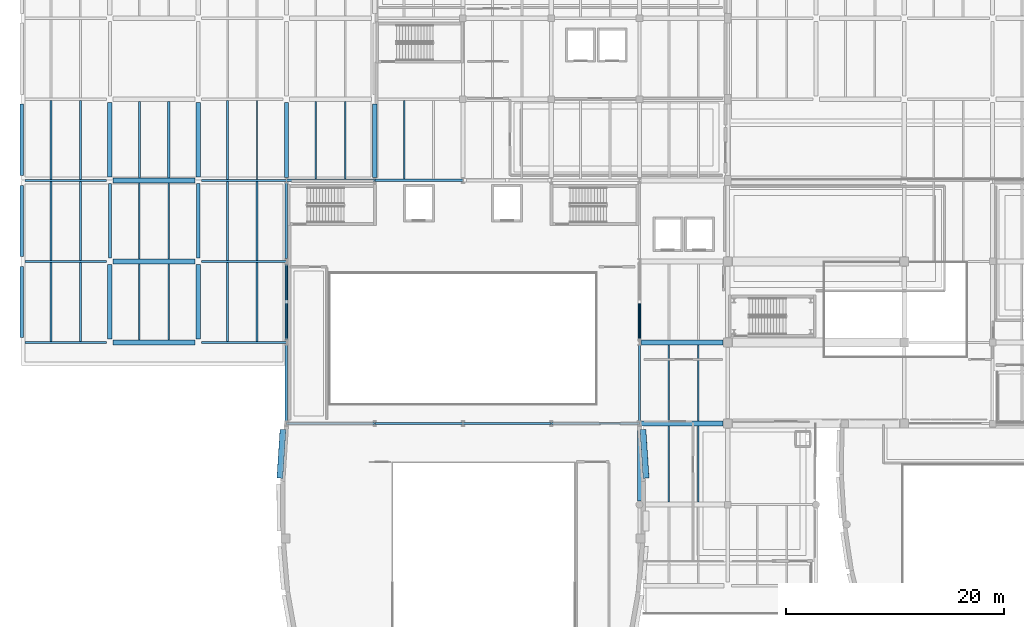
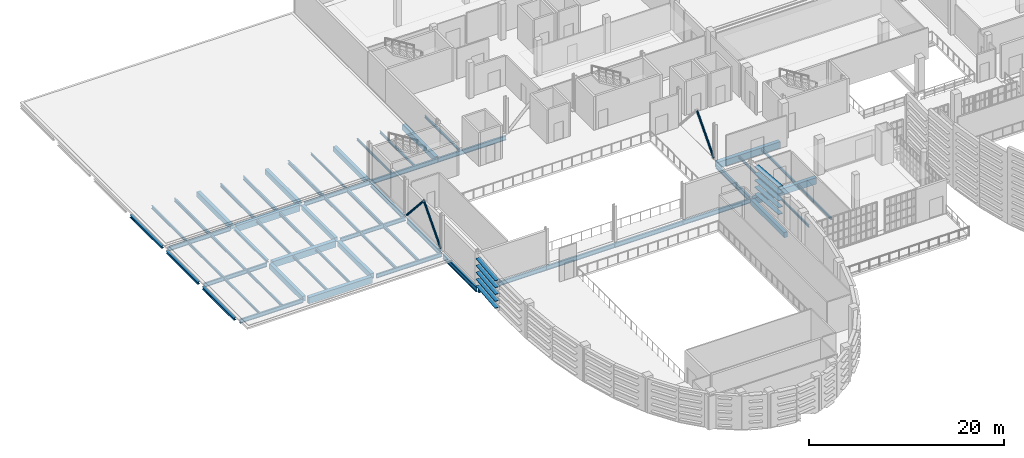
# One storey, part 8 of 73: 58 beams, 13 members.
"""IFC4 building model written with IfcOpenShell, lengths in metres."""

from ifc_helpers import new_model, si_unit, direction, frame, origin, origin_2d, place, context, subcontext, project, spatial, rectangle, hollow_rectangle, hollow_circle, i_section, extrude, material, material_profile, profile_set, type_object, element, save


model = new_model("IFC4")

# Units and contexts
model_context = context("Model", 3, precision=1e-05, world=origin(), true_north=direction((0.0, 1.0)))
body_context = subcontext(model_context, "Body", "Model", "MODEL_VIEW")
ifc_project = project(units=[si_unit("LENGTHUNIT", "METRE"), si_unit("AREAUNIT", "SQUARE_METRE"), si_unit("VOLUMEUNIT", "CUBIC_METRE"), si_unit("PLANEANGLEUNIT", "RADIAN"), si_unit("MASSUNIT", "GRAM", prefix="KILO")], contexts=[model_context])

# Site, building, storey
site_placement = place(None, origin())
site = spatial("IfcSite", under=ifc_project, at=site_placement, CompositionType="ELEMENT")
building_placement = place(site_placement, origin())
building = spatial("IfcBuilding", under=site, at=building_placement, Name="Kaelora Sail Theatre", CompositionType="ELEMENT")
storey_placement = place(building_placement, frame((0.0, 0.0, 10.199951171875)))
storey = spatial("IfcBuildingStorey", under=building, at=storey_placement, Name="L02", CompositionType="ELEMENT", Elevation=10.199951171875)

# Members
ifc_material_1 = material(Name="Anodised aluminium 6063-T6", Category="aluminium")
ifc_material_profile_1 = material_profile(ifc_material_1, hollow_rectangle(XDim=0.550048828125, YDim=0.06494140625, WallThickness=0.00390625, InnerFilletRadius=0.00390625, OuterFilletRadius=0.008056640625, at=origin_2d()), Name="LOUVRE 550x65x4")
ifc_profile_set_1 = profile_set([ifc_material_profile_1], Name="Anodised aluminium 6063-T6")
member_type_1 = type_object("IfcMemberType", Name="ARC-MEM-LVR-300", PredefinedType="USERDEFINED", material=ifc_profile_set_1)
for number, where, z_axis, x_axis, name in (
    (1, (58.51611328125, 60.47021484375, 0.510009765625), (0.064492796424, -0.997918172602, 0.0), (0.997918172602, 0.064492796424, 0.0), "Main Theatre Sail Drum horizontal solar louvre C1-12"),
    (2, (58.51611328125, 60.47021484375, 1.3701171875), (0.064492796424, -0.997918172602, 0.0), (0.997918172602, 0.064492796424, 0.0), "Main Theatre Sail Drum horizontal solar louvre C1-13"),
    (3, (58.51611328125, 60.47021484375, 2.22998046875), (0.064492796424, -0.997918172602, 0.0), (0.997918172602, 0.064492796424, 0.0), "Main Theatre Sail Drum horizontal solar louvre C1-14"),
    (4, (58.51611328125, 60.47021484375, 3.090087890625), (0.064492796424, -0.997918172602, 0.0), (0.997918172602, 0.064492796424, 0.0), "Main Theatre Sail Drum horizontal solar louvre C1-15"),
    (5, (58.51611328125, 60.47021484375, 3.949951171875), (0.064492796424, -0.997918172602, 0.0), (0.997918172602, 0.064492796424, 0.0), "Main Theatre Sail Drum horizontal solar louvre C1-16"),
    (6, (25.195556640625, 56.0087890625, 0.510009765625), (0.064492796424, 0.997918172602, 0.0), (-0.997918172602, 0.064492796424, 0.0), "Main Theatre Sail Drum horizontal solar louvre C22-12"),
    (7, (25.195556640625, 56.0087890625, 1.3701171875), (0.064492796424, 0.997918172602, 0.0), (-0.997918172602, 0.064492796424, 0.0), "Main Theatre Sail Drum horizontal solar louvre C22-13"),
    (8, (25.195556640625, 56.0087890625, 2.22998046875), (0.064492796424, 0.997918172602, 0.0), (-0.997918172602, 0.064492796424, 0.0), "Main Theatre Sail Drum horizontal solar louvre C22-14"),
    (9, (25.195556640625, 56.0087890625, 3.090087890625), (0.064492796424, 0.997918172602, 0.0), (-0.997918172602, 0.064492796424, 0.0), "Main Theatre Sail Drum horizontal solar louvre C22-15"),
    (10, (25.195556640625, 56.0087890625, 3.949951171875), (0.064492796424, 0.997918172602, 0.0), (-0.997918172602, 0.064492796424, 0.0), "Main Theatre Sail Drum horizontal solar louvre C22-16"),
):
    element("IfcMember", number, at=place(storey_placement, frame(where, z_axis=z_axis, x_axis=x_axis)), inside=storey, type_object=member_type_1, Name=name, ObjectType="LOUVRE", PredefinedType="USERDEFINED", context=body_context, shape_type="SweptSolid", body=[
        extrude(hollow_rectangle(XDim=0.550048828125, YDim=0.06494140625, WallThickness=0.00390625, InnerFilletRadius=0.00390625, OuterFilletRadius=0.008056640625, at=origin_2d()), origin(), (0.0, 0.0, 1.0), 4.470703125),
    ])

# Beams
ifc_material_2 = material(Name="Steel S355", Category="steel")
ifc_material_profile_2 = material_profile(ifc_material_2, i_section(OverallWidth=0.300048828125, OverallDepth=0.31005859375, WebThickness=0.009033203125, FlangeThickness=0.015380859375, FilletRadius=0.027099609375, at=origin_2d()), Name="HEA 320")
ifc_profile_set_2 = profile_set([ifc_material_profile_2], Name="Steel S355")
beam_type_1 = type_object("IfcBeamType", Name="STR-BM-BM-HEA320", PredefinedType="BEAM", material=ifc_profile_set_2)
beam_1_placement = place(storey_placement, frame((9.60009765625, 76.199951171875, -0.449951171875), z_axis=(0.0, 1.0, 0.0), x_axis=(-1.0, 0.0, 0.0)))
element("IfcBeam", 11, at=beam_1_placement, inside=storey, type_object=beam_type_1, Name="Primary beam 2 K-L (L02)", PredefinedType="BEAM", context=body_context, shape_type="SweptSolid", body=[
    extrude(i_section(OverallWidth=0.300048828125, OverallDepth=0.31005859375, WebThickness=0.009033203125, FlangeThickness=0.015380859375, FilletRadius=0.027099609375, at=origin_2d()), origin(), (0.0, 0.0, 1.0), 6.840087890625),
])
ifc_material_3 = material(Name="Steel S355", Category="steel")
ifc_material_profile_3 = material_profile(ifc_material_3, i_section(OverallWidth=0.18994140625, OverallDepth=0.449951171875, WebThickness=0.009521484375, FlangeThickness=0.0146484375, FilletRadius=0.02099609375, at=origin_2d()), Name="IPE 450")
ifc_profile_set_3 = profile_set([ifc_material_profile_3], Name="Steel S355")
beam_type_2 = type_object("IfcBeamType", Name="STR-BM-BM-IPE450", PredefinedType="BEAM", material=ifc_profile_set_3)
beam_2_placement = place(storey_placement, frame((15.0, 83.56494140625, -0.52001953125), z_axis=(0.0, 1.0, 0.0), x_axis=(-1.0, 0.0, 0.0)))
element("IfcBeam", 12, at=beam_2_placement, inside=storey, type_object=beam_type_2, Name="Secondary floor joist 2/L-2 (L02)", PredefinedType="BEAM", context=body_context, shape_type="SweptSolid", body=[
    extrude(i_section(OverallWidth=0.18994140625, OverallDepth=0.449951171875, WebThickness=0.009521484375, FlangeThickness=0.0146484375, FilletRadius=0.02099609375, at=origin_2d()), origin(), (0.0, 0.0, 1.0), 6.989990234375),
])
for number, where, z_axis, x_axis, name in (
    (13, (23.10009765625, 76.0, -0.52001953125), (0.0, 1.0, 0.0), (-1.0, 0.0, 0.0), "Secondary floor joist 3/K-2 (L02)"),
    (14, (20.39990234375, 83.43994140625, -0.52001953125), (0.0, 1.0, 0.0), (-1.0, 0.0, 0.0), "Secondary floor joist 3/L-1 (L02)"),
):
    element("IfcBeam", number, at=place(storey_placement, frame(where, z_axis=z_axis, x_axis=x_axis)), inside=storey, type_object=beam_type_2, Name=name, PredefinedType="BEAM", context=body_context, shape_type="SweptSolid", body=[
        extrude(i_section(OverallWidth=0.18994140625, OverallDepth=0.449951171875, WebThickness=0.009521484375, FlangeThickness=0.0146484375, FilletRadius=0.02099609375, at=origin_2d()), origin(), (0.0, 0.0, 1.0), 7.239990234375),
    ])
ifc_material_4 = material(Name="Steel S355", Category="steel")
ifc_material_profile_4 = material_profile(ifc_material_4, i_section(OverallWidth=0.199951171875, OverallDepth=0.5, WebThickness=0.01025390625, FlangeThickness=0.01611328125, FilletRadius=0.02099609375, at=origin_2d()), Name="IPE 500")
ifc_profile_set_4 = profile_set([ifc_material_profile_4], Name="Steel S355")
beam_type_3 = type_object("IfcBeamType", Name="STR-BM-BM-IPE500", PredefinedType="BEAM", material=ifc_profile_set_4)
for number, where, z_axis, x_axis, name in (
    (15, (1.800048828125, 68.4599609375, -0.544921875), (1.0, 0.0, 0.0), (0.0, 1.0, 0.0), "Primary beam J 1-2 (L02)"),
    (16, (1.800048828125, 75.89990234375, -0.544921875), (1.0, 0.0, 0.0), (0.0, 1.0, 0.0), "Primary beam K 1-2 (L02)"),
    (17, (1.800048828125, 83.340087890625, -0.544921875), (1.0, 0.0, 0.0), (0.0, 1.0, 0.0), "Primary beam L 1-2 (L02)"),
):
    element("IfcBeam", number, at=place(storey_placement, frame(where, z_axis=z_axis, x_axis=x_axis)), inside=storey, type_object=beam_type_3, Name=name, PredefinedType="BEAM", context=body_context, shape_type="SweptSolid", body=[
        extrude(i_section(OverallWidth=0.199951171875, OverallDepth=0.5, WebThickness=0.01025390625, FlangeThickness=0.01611328125, FilletRadius=0.02099609375, at=origin_2d()), origin(), (0.0, 0.0, 1.0), 7.5),
    ])
for number, where, z_axis, x_axis, name in (
    (18, (18.0, 68.4599609375, -0.544921875), (1.0, 0.0, 0.0), (0.0, 1.0, 0.0), "Primary beam J 3-4 (L02)"),
    (19, (18.0, 75.89990234375, -0.544921875), (1.0, 0.0, 0.0), (0.0, 1.0, 0.0), "Primary beam K 3-4 (L02)"),
    (20, (18.0, 83.340087890625, -0.544921875), (1.0, 0.0, 0.0), (0.0, 1.0, 0.0), "Primary beam L 3-4 (L02)"),
):
    element("IfcBeam", number, at=place(storey_placement, frame(where, z_axis=z_axis, x_axis=x_axis)), inside=storey, type_object=beam_type_3, Name=name, PredefinedType="BEAM", context=body_context, shape_type="SweptSolid", body=[
        extrude(i_section(OverallWidth=0.199951171875, OverallDepth=0.5, WebThickness=0.01025390625, FlangeThickness=0.01611328125, FilletRadius=0.02099609375, at=origin_2d()), origin(), (0.0, 0.0, 1.0), 7.791015625),
    ])
ifc_material_5 = material(Name="Steel S355", Category="steel")
ifc_material_profile_5 = material_profile(ifc_material_5, i_section(OverallWidth=0.2099609375, OverallDepth=0.550048828125, WebThickness=0.010986328125, FlangeThickness=0.01708984375, FilletRadius=0.02392578125, at=origin_2d()), Name="IPE 550")
ifc_profile_set_5 = profile_set([ifc_material_profile_5], Name="Steel S355")
beam_type_4 = type_object("IfcBeamType", Name="STR-BM-BM-IPE550", PredefinedType="USERDEFINED", material=ifc_profile_set_5)
for number, where, z_axis, x_axis, name in (
    (21, (25.80908203125, 61.02001953125, -0.570068359375), (1.0, 0.0, 0.0), (0.0, 1.0, 0.0), "Primary beam I 4-5 (L02)"),
    (22, (25.80908203125, 83.340087890625, -0.570068359375), (1.0, 0.0, 0.0), (0.0, 1.0, 0.0), "Primary beam L 4-5 (L02)"),
    (23, (33.908935546875, 61.02001953125, -0.570068359375), (1.0, 0.0, 0.0), (0.0, 1.0, 0.0), "Primary beam I 5-6 (L02)"),
    (24, (33.908935546875, 83.340087890625, -0.570068359375), (1.0, 0.0, 0.0), (0.0, 1.0, 0.0), "Primary beam L 5-6 (L02)"),
    (25, (42.009033203125, 61.02001953125, -0.570068359375), (1.0, 0.0, 0.0), (0.0, 1.0, 0.0), "Primary beam I 6-7 (L02)"),
    (26, (50.10888671875, 61.02001953125, -0.570068359375), (1.0, 0.0, 0.0), (0.0, 1.0, 0.0), "Primary beam I 7-8 (L02)"),
):
    element("IfcBeam", number, at=place(storey_placement, frame(where, z_axis=z_axis, x_axis=x_axis)), inside=storey, type_object=beam_type_4, Name=name, ObjectType="GIRDER", PredefinedType="USERDEFINED", context=body_context, shape_type="SweptSolid", body=[
        extrude(i_section(OverallWidth=0.2099609375, OverallDepth=0.550048828125, WebThickness=0.010986328125, FlangeThickness=0.01708984375, FilletRadius=0.02392578125, at=origin_2d()), origin(), (0.0, 0.0, 1.0), 8.08203125),
    ])
ifc_material_6 = material(Name="Steel S355", Category="steel")
ifc_material_profile_6 = material_profile(ifc_material_6, i_section(OverallWidth=0.219970703125, OverallDepth=0.60009765625, WebThickness=0.011962890625, FlangeThickness=0.01904296875, FilletRadius=0.02392578125, at=origin_2d()), Name="IPE 600")
ifc_profile_set_6 = profile_set([ifc_material_profile_6], Name="Steel S355")
beam_type_5 = type_object("IfcBeamType", Name="STR-BM-BM-IPE600", PredefinedType="USERDEFINED", material=ifc_profile_set_6)
for number, where, z_axis, x_axis, name in (
    (27, (25.800048828125, 61.27001953125, -0.594970703125), (0.0, 1.0, 0.0), (-1.0, 0.0, 0.0), "Primary beam 4 I-J (L02)"),
    (28, (25.800048828125, 68.7099609375, -0.594970703125), (0.0, 1.0, 0.0), (-1.0, 0.0, 0.0), "Primary beam 4 J-K (L02)"),
):
    element("IfcBeam", number, at=place(storey_placement, frame(where, z_axis=z_axis, x_axis=x_axis)), inside=storey, type_object=beam_type_5, Name=name, ObjectType="GIRDER", PredefinedType="USERDEFINED", context=body_context, shape_type="SweptSolid", body=[
        extrude(i_section(OverallWidth=0.219970703125, OverallDepth=0.60009765625, WebThickness=0.011962890625, FlangeThickness=0.01904296875, FilletRadius=0.02392578125, at=origin_2d()), origin(), (0.0, 0.0, 1.0), 6.93994140625),
    ])
beam_3_placement = place(storey_placement, frame((25.800048828125, 76.14990234375, -0.594970703125), z_axis=(0.0, 1.0, 0.0), x_axis=(-1.0, 0.0, 0.0)))
element("IfcBeam", 29, at=beam_3_placement, inside=storey, type_object=beam_type_5, Name="Primary beam 4 K-L (L02)", ObjectType="GIRDER", PredefinedType="USERDEFINED", context=body_context, shape_type="SweptSolid", body=[
    extrude(i_section(OverallWidth=0.219970703125, OverallDepth=0.60009765625, WebThickness=0.011962890625, FlangeThickness=0.01904296875, FilletRadius=0.02392578125, at=origin_2d()), origin(), (0.0, 0.0, 1.0), 6.940185546875),
])
beam_4_placement = place(storey_placement, frame((58.199951171875, 61.27001953125, -0.594970703125), z_axis=(0.0, 1.0, 0.0), x_axis=(-1.0, 0.0, 0.0)))
element("IfcBeam", 30, at=beam_4_placement, inside=storey, type_object=beam_type_5, Name="Primary beam 8 I-J (L02)", ObjectType="GIRDER", PredefinedType="USERDEFINED", context=body_context, shape_type="SweptSolid", body=[
    extrude(i_section(OverallWidth=0.219970703125, OverallDepth=0.60009765625, WebThickness=0.011962890625, FlangeThickness=0.01904296875, FilletRadius=0.02392578125, at=origin_2d()), origin(), (0.0, 0.0, 1.0), 6.93994140625),
])
ifc_material_7 = material(Name="Concrete C40/50", Category="concrete")
ifc_material_profile_7 = material_profile(ifc_material_7, rectangle(XDim=0.35009765625, YDim=0.60009765625, at=origin_2d()), Name="RC-BM 350x600")
ifc_profile_set_7 = profile_set([ifc_material_profile_7], Name="Concrete C40/50")
beam_type_6 = type_object("IfcBeamType", Name="STR-BM-BM-RC3560", PredefinedType="BEAM", material=ifc_profile_set_7)
beam_5_placement = place(storey_placement, frame((17.699951171875, 76.199951171875, -0.594970703125), z_axis=(0.0, 1.0, 0.0), x_axis=(-1.0, 0.0, 0.0)))
element("IfcBeam", 31, at=beam_5_placement, inside=storey, type_object=beam_type_6, Name="Primary beam 3 K-L (L02)", PredefinedType="BEAM", context=body_context, shape_type="SweptSolid", body=[
    extrude(rectangle(XDim=0.35009765625, YDim=0.60009765625, at=origin_2d()), origin(), (0.0, 0.0, 1.0), 6.840087890625),
])
ifc_material_8 = material(Name="Concrete C40/50", Category="concrete")
ifc_material_profile_8 = material_profile(ifc_material_8, rectangle(XDim=0.39990234375, YDim=0.64990234375, at=origin_2d()), Name="RC-BM 400x650")
ifc_profile_set_8 = profile_set([ifc_material_profile_8], Name="Concrete C40/50")
beam_type_7 = type_object("IfcBeamType", Name="STR-BM-BM-RC4065", PredefinedType="BEAM", material=ifc_profile_set_8)
for number, where, z_axis, x_axis, name in (
    (32, (9.60009765625, 68.760009765625, -0.619873046875), (0.0, 1.0, 0.0), (-1.0, 0.0, 0.0), "Primary beam 2 J-K (L02)"),
    (33, (9.60009765625, 83.639892578125, -0.619873046875), (0.0, 1.0, 0.0), (-1.0, 0.0, 0.0), "Primary beam 2 L-M (L02)"),
    (34, (17.699951171875, 68.760009765625, -0.619873046875), (0.0, 1.0, 0.0), (-1.0, 0.0, 0.0), "Primary beam 3 J-K (L02)"),
    (35, (17.699951171875, 83.639892578125, -0.619873046875), (0.0, 1.0, 0.0), (-1.0, 0.0, 0.0), "Primary beam 3 L-M (L02)"),
):
    element("IfcBeam", number, at=place(storey_placement, frame(where, z_axis=z_axis, x_axis=x_axis)), inside=storey, type_object=beam_type_7, Name=name, PredefinedType="BEAM", context=body_context, shape_type="SweptSolid", body=[
        extrude(rectangle(XDim=0.39990234375, YDim=0.64990234375, at=origin_2d()), origin(), (0.0, 0.0, 1.0), 6.840087890625),
    ])
beam_6_placement = place(storey_placement, frame((25.800048828125, 83.590087890625, -0.619873046875), z_axis=(0.0, 1.0, 0.0), x_axis=(-1.0, 0.0, 0.0)))
element("IfcBeam", 36, at=beam_6_placement, inside=storey, type_object=beam_type_7, Name="Primary beam 4 L-M (L02)", PredefinedType="BEAM", context=body_context, shape_type="SweptSolid", body=[
    extrude(rectangle(XDim=0.39990234375, YDim=0.64990234375, at=origin_2d()), origin(), (0.0, 0.0, 1.0), 6.889892578125),
])
beam_7_placement = place(storey_placement, frame((33.89990234375, 83.590087890625, -0.619873046875), z_axis=(0.0, 1.0, 0.0), x_axis=(-1.0, 0.0, 0.0)))
element("IfcBeam", 37, at=beam_7_placement, inside=storey, type_object=beam_type_7, Name="Primary beam 5 L-M (L02)", PredefinedType="BEAM", context=body_context, shape_type="SweptSolid", body=[
    extrude(rectangle(XDim=0.39990234375, YDim=0.64990234375, at=origin_2d()), origin(), (0.0, 0.0, 1.0), 6.739990234375),
])
beam_8_placement = place(storey_placement, frame((58.199951171875, 53.905029296875, -0.619873046875), z_axis=(0.0, 1.0, 0.0), x_axis=(-1.0, 0.0, 0.0)))
element("IfcBeam", 38, at=beam_8_placement, inside=storey, type_object=beam_type_7, Name="Primary beam 8 H-I (L02)", PredefinedType="BEAM", context=body_context, shape_type="SweptSolid", body=[
    extrude(rectangle(XDim=0.39990234375, YDim=0.64990234375, at=origin_2d()), origin(), (0.0, 0.0, 1.0), 6.864990234375),
])
ifc_material_9 = material(Name="Concrete C45/55", Category="concrete")
ifc_material_profile_9 = material_profile(ifc_material_9, rectangle(XDim=0.449951171875, YDim=0.800048828125, at=origin_2d()), Name="RC-BM 450x800")
ifc_profile_set_9 = profile_set([ifc_material_profile_9], Name="Concrete C45/55")
beam_type_8 = type_object("IfcBeamType", Name="STR-BM-BM-RC4580", PredefinedType="BEAM", material=ifc_profile_set_9)
for number, where, z_axis, x_axis, name in (
    (39, (9.89990234375, 68.4599609375, -0.695068359375), (1.0, 0.0, 0.0), (0.0, 1.0, 0.0), "Primary beam J 2-3 (L02)"),
    (40, (9.89990234375, 75.89990234375, -0.695068359375), (1.0, 0.0, 0.0), (0.0, 1.0, 0.0), "Primary beam K 2-3 (L02)"),
    (41, (9.89990234375, 83.340087890625, -0.695068359375), (1.0, 0.0, 0.0), (0.0, 1.0, 0.0), "Primary beam L 2-3 (L02)"),
    (42, (58.35009765625, 61.02001953125, -0.695068359375), (1.0, 0.0, 0.0), (0.0, 1.0, 0.0), "Primary beam I 8-9 (L02)"),
    (43, (58.35009765625, 68.4599609375, -0.695068359375), (1.0, 0.0, 0.0), (0.0, 1.0, 0.0), "Primary beam J 8-9 (L02)"),
):
    element("IfcBeam", number, at=place(storey_placement, frame(where, z_axis=z_axis, x_axis=x_axis)), inside=storey, type_object=beam_type_8, Name=name, PredefinedType="BEAM", context=body_context, shape_type="SweptSolid", body=[
        extrude(rectangle(XDim=0.449951171875, YDim=0.800048828125, at=origin_2d()), origin(), (0.0, 0.0, 1.0), 7.5),
    ])
ifc_material_10 = material(Name="Steel S355", Category="steel")
ifc_material_profile_10 = material_profile(ifc_material_10, i_section(OverallWidth=0.135009765625, OverallDepth=0.27001953125, WebThickness=0.006591796875, FlangeThickness=0.01025390625, FilletRadius=0.014892578125, at=origin_2d()), Name="IPE 270")
ifc_profile_set_10 = profile_set([ifc_material_profile_10], Name="Steel S355")
beam_type_9 = type_object("IfcBeamType", Name="STR-BM-JS-IPE270", PredefinedType="JOIST", material=ifc_profile_set_10)
beam_9_placement = place(storey_placement, frame((23.10009765625, 83.43994140625, -0.429931640625), z_axis=(0.0, 1.0, 0.0), x_axis=(-1.0, 0.0, 0.0)))
element("IfcBeam", 44, at=beam_9_placement, inside=storey, type_object=beam_type_9, Name="Secondary floor joist 3/L-2 (L02)", PredefinedType="JOIST", context=body_context, shape_type="SweptSolid", body=[
    extrude(i_section(OverallWidth=0.135009765625, OverallDepth=0.27001953125, WebThickness=0.006591796875, FlangeThickness=0.01025390625, FilletRadius=0.014892578125, at=origin_2d()), origin(), (0.0, 0.0, 1.0), 7.239990234375),
])
beam_10_placement = place(storey_placement, frame((28.5, 83.445068359375, -0.429931640625), z_axis=(0.0, 1.0, 0.0), x_axis=(-1.0, 0.0, 0.0)))
element("IfcBeam", 45, at=beam_10_placement, inside=storey, type_object=beam_type_9, Name="Secondary floor joist 4/L-1 (L02)", PredefinedType="JOIST", context=body_context, shape_type="SweptSolid", body=[
    extrude(i_section(OverallWidth=0.135009765625, OverallDepth=0.27001953125, WebThickness=0.006591796875, FlangeThickness=0.01025390625, FilletRadius=0.014892578125, at=origin_2d()), origin(), (0.0, 0.0, 1.0), 7.10986328125),
])
beam_11_placement = place(storey_placement, frame((60.89990234375, 53.804931640625, -0.429931640625), z_axis=(0.0, 1.0, 0.0), x_axis=(-1.0, 0.0, 0.0)))
element("IfcBeam", 46, at=beam_11_placement, inside=storey, type_object=beam_type_9, Name="Secondary floor joist 8/H-1 (L02)", PredefinedType="JOIST", context=body_context, shape_type="SweptSolid", body=[
    extrude(i_section(OverallWidth=0.135009765625, OverallDepth=0.27001953125, WebThickness=0.006591796875, FlangeThickness=0.01025390625, FilletRadius=0.014892578125, at=origin_2d()), origin(), (0.0, 0.0, 1.0), 6.989990234375),
])
ifc_material_11 = material(Name="Steel S355", Category="steel")
ifc_material_profile_11 = material_profile(ifc_material_11, i_section(OverallWidth=0.14990234375, OverallDepth=0.300048828125, WebThickness=0.007080078125, FlangeThickness=0.0107421875, FilletRadius=0.014892578125, at=origin_2d()), Name="IPE 300")
ifc_profile_set_11 = profile_set([ifc_material_profile_11], Name="Steel S355")
beam_type_10 = type_object("IfcBeamType", Name="STR-BM-JS-IPE300", PredefinedType="JOIST", material=ifc_profile_set_11)
beam_12_placement = place(storey_placement, frame((4.199951171875, 68.56005859375, -0.445068359375), z_axis=(0.0, 1.0, 0.0), x_axis=(-1.0, 0.0, 0.0)))
element("IfcBeam", 47, at=beam_12_placement, inside=storey, type_object=beam_type_10, Name="Secondary floor joist 1/J-1 (L02)", PredefinedType="JOIST", context=body_context, shape_type="SweptSolid", body=[
    extrude(i_section(OverallWidth=0.14990234375, OverallDepth=0.300048828125, WebThickness=0.007080078125, FlangeThickness=0.0107421875, FilletRadius=0.014892578125, at=origin_2d()), origin(), (0.0, 0.0, 1.0), 7.239990234375),
])
beam_13_placement = place(storey_placement, frame((31.199951171875, 83.445068359375, -0.445068359375), z_axis=(0.0, 1.0, 0.0), x_axis=(-1.0, 0.0, 0.0)))
element("IfcBeam", 48, at=beam_13_placement, inside=storey, type_object=beam_type_10, Name="Secondary floor joist 4/L-2 (L02)", PredefinedType="JOIST", context=body_context, shape_type="SweptSolid", body=[
    extrude(i_section(OverallWidth=0.14990234375, OverallDepth=0.300048828125, WebThickness=0.007080078125, FlangeThickness=0.0107421875, FilletRadius=0.014892578125, at=origin_2d()), origin(), (0.0, 0.0, 1.0), 7.10986328125),
])
beam_14_placement = place(storey_placement, frame((36.60009765625, 83.445068359375, -0.445068359375), z_axis=(0.0, 1.0, 0.0), x_axis=(-1.0, 0.0, 0.0)))
element("IfcBeam", 49, at=beam_14_placement, inside=storey, type_object=beam_type_10, Name="Secondary floor joist 5/L-1 (L02)", PredefinedType="JOIST", context=body_context, shape_type="SweptSolid", body=[
    extrude(i_section(OverallWidth=0.14990234375, OverallDepth=0.300048828125, WebThickness=0.007080078125, FlangeThickness=0.0107421875, FilletRadius=0.014892578125, at=origin_2d()), origin(), (0.0, 0.0, 1.0), 7.23486328125),
])
for number, where, z_axis, x_axis, name in (
    (50, (63.60009765625, 53.804931640625, -0.445068359375), (0.0, 1.0, 0.0), (-1.0, 0.0, 0.0), "Secondary floor joist 8/H-2 (L02)"),
    (51, (60.89990234375, 61.2451171875, -0.445068359375), (0.0, 1.0, 0.0), (-1.0, 0.0, 0.0), "Secondary floor joist 8/I-1 (L02)"),
):
    element("IfcBeam", number, at=place(storey_placement, frame(where, z_axis=z_axis, x_axis=x_axis)), inside=storey, type_object=beam_type_10, Name=name, PredefinedType="JOIST", context=body_context, shape_type="SweptSolid", body=[
        extrude(i_section(OverallWidth=0.14990234375, OverallDepth=0.300048828125, WebThickness=0.007080078125, FlangeThickness=0.0107421875, FilletRadius=0.014892578125, at=origin_2d()), origin(), (0.0, 0.0, 1.0), 6.989990234375),
    ])
ifc_material_12 = material(Name="Steel S355", Category="steel")
ifc_material_profile_12 = material_profile(ifc_material_12, i_section(OverallWidth=0.159912109375, OverallDepth=0.330078125, WebThickness=0.007568359375, FlangeThickness=0.011474609375, FilletRadius=0.01806640625, at=origin_2d()), Name="IPE 330")
ifc_profile_set_12 = profile_set([ifc_material_profile_12], Name="Steel S355")
beam_type_11 = type_object("IfcBeamType", Name="STR-BM-JS-IPE330", PredefinedType="JOIST", material=ifc_profile_set_12)
for number, where, z_axis, x_axis, name in (
    (52, (6.89990234375, 68.56005859375, -0.4599609375), (0.0, 1.0, 0.0), (-1.0, 0.0, 0.0), "Secondary floor joist 1/J-2 (L02)"),
    (53, (4.199951171875, 76.0, -0.4599609375), (0.0, 1.0, 0.0), (-1.0, 0.0, 0.0), "Secondary floor joist 1/K-1 (L02)"),
):
    element("IfcBeam", number, at=place(storey_placement, frame(where, z_axis=z_axis, x_axis=x_axis)), inside=storey, type_object=beam_type_11, Name=name, PredefinedType="JOIST", context=body_context, shape_type="SweptSolid", body=[
        extrude(i_section(OverallWidth=0.159912109375, OverallDepth=0.330078125, WebThickness=0.007568359375, FlangeThickness=0.011474609375, FilletRadius=0.01806640625, at=origin_2d()), origin(), (0.0, 0.0, 1.0), 7.239990234375),
    ])
for number, where, z_axis, x_axis, name in (
    (54, (12.300048828125, 68.68505859375, -0.4599609375), (0.0, 1.0, 0.0), (-1.0, 0.0, 0.0), "Secondary floor joist 2/J-1 (L02)"),
    (55, (63.60009765625, 61.2451171875, -0.4599609375), (0.0, 1.0, 0.0), (-1.0, 0.0, 0.0), "Secondary floor joist 8/I-2 (L02)"),
):
    element("IfcBeam", number, at=place(storey_placement, frame(where, z_axis=z_axis, x_axis=x_axis)), inside=storey, type_object=beam_type_11, Name=name, PredefinedType="JOIST", context=body_context, shape_type="SweptSolid", body=[
        extrude(i_section(OverallWidth=0.159912109375, OverallDepth=0.330078125, WebThickness=0.007568359375, FlangeThickness=0.011474609375, FilletRadius=0.01806640625, at=origin_2d()), origin(), (0.0, 0.0, 1.0), 6.989990234375),
    ])
ifc_material_13 = material(Name="Steel S355", Category="steel")
ifc_material_profile_13 = material_profile(ifc_material_13, i_section(OverallWidth=0.169921875, OverallDepth=0.360107421875, WebThickness=0.008056640625, FlangeThickness=0.0126953125, FilletRadius=0.01806640625, at=origin_2d()), Name="IPE 360")
ifc_profile_set_13 = profile_set([ifc_material_profile_13], Name="Steel S355")
beam_type_12 = type_object("IfcBeamType", Name="STR-BM-JS-IPE360", PredefinedType="JOIST", material=ifc_profile_set_13)
for number, where, z_axis, x_axis, name in (
    (56, (6.89990234375, 76.0, -0.474853515625), (0.0, 1.0, 0.0), (-1.0, 0.0, 0.0), "Secondary floor joist 1/K-2 (L02)"),
    (57, (4.199951171875, 83.43994140625, -0.474853515625), (0.0, 1.0, 0.0), (-1.0, 0.0, 0.0), "Secondary floor joist 1/L-1 (L02)"),
):
    element("IfcBeam", number, at=place(storey_placement, frame(where, z_axis=z_axis, x_axis=x_axis)), inside=storey, type_object=beam_type_12, Name=name, PredefinedType="JOIST", context=body_context, shape_type="SweptSolid", body=[
        extrude(i_section(OverallWidth=0.169921875, OverallDepth=0.360107421875, WebThickness=0.008056640625, FlangeThickness=0.0126953125, FilletRadius=0.01806640625, at=origin_2d()), origin(), (0.0, 0.0, 1.0), 7.239990234375),
    ])
for number, where, z_axis, x_axis, name in (
    (58, (15.0, 68.68505859375, -0.474853515625), (0.0, 1.0, 0.0), (-1.0, 0.0, 0.0), "Secondary floor joist 2/J-2 (L02)"),
    (59, (12.300048828125, 76.125, -0.474853515625), (0.0, 1.0, 0.0), (-1.0, 0.0, 0.0), "Secondary floor joist 2/K-1 (L02)"),
):
    element("IfcBeam", number, at=place(storey_placement, frame(where, z_axis=z_axis, x_axis=x_axis)), inside=storey, type_object=beam_type_12, Name=name, PredefinedType="JOIST", context=body_context, shape_type="SweptSolid", body=[
        extrude(i_section(OverallWidth=0.169921875, OverallDepth=0.360107421875, WebThickness=0.008056640625, FlangeThickness=0.0126953125, FilletRadius=0.01806640625, at=origin_2d()), origin(), (0.0, 0.0, 1.0), 6.989990234375),
    ])
beam_15_placement = place(storey_placement, frame((20.39990234375, 68.56005859375, -0.474853515625), z_axis=(0.0, 1.0, 0.0), x_axis=(-1.0, 0.0, 0.0)))
element("IfcBeam", 60, at=beam_15_placement, inside=storey, type_object=beam_type_12, Name="Secondary floor joist 3/J-1 (L02)", PredefinedType="JOIST", context=body_context, shape_type="SweptSolid", body=[
    extrude(i_section(OverallWidth=0.169921875, OverallDepth=0.360107421875, WebThickness=0.008056640625, FlangeThickness=0.0126953125, FilletRadius=0.01806640625, at=origin_2d()), origin(), (0.0, 0.0, 1.0), 7.239990234375),
])
ifc_material_14 = material(Name="Steel S355", Category="steel")
ifc_material_profile_14 = material_profile(ifc_material_14, i_section(OverallWidth=0.179931640625, OverallDepth=0.39990234375, WebThickness=0.008544921875, FlangeThickness=0.013427734375, FilletRadius=0.02099609375, at=origin_2d()), Name="IPE 400")
ifc_profile_set_14 = profile_set([ifc_material_profile_14], Name="Steel S355")
beam_type_13 = type_object("IfcBeamType", Name="STR-BM-JS-IPE400", PredefinedType="JOIST", material=ifc_profile_set_14)
beam_16_placement = place(storey_placement, frame((6.89990234375, 83.43994140625, -0.494873046875), z_axis=(0.0, 1.0, 0.0), x_axis=(-1.0, 0.0, 0.0)))
element("IfcBeam", 61, at=beam_16_placement, inside=storey, type_object=beam_type_13, Name="Secondary floor joist 1/L-2 (L02)", PredefinedType="JOIST", context=body_context, shape_type="SweptSolid", body=[
    extrude(i_section(OverallWidth=0.179931640625, OverallDepth=0.39990234375, WebThickness=0.008544921875, FlangeThickness=0.013427734375, FilletRadius=0.02099609375, at=origin_2d()), origin(), (0.0, 0.0, 1.0), 7.239990234375),
])
for number, where, z_axis, x_axis, name in (
    (62, (15.0, 76.125, -0.494873046875), (0.0, 1.0, 0.0), (-1.0, 0.0, 0.0), "Secondary floor joist 2/K-2 (L02)"),
    (63, (12.300048828125, 83.56494140625, -0.494873046875), (0.0, 1.0, 0.0), (-1.0, 0.0, 0.0), "Secondary floor joist 2/L-1 (L02)"),
):
    element("IfcBeam", number, at=place(storey_placement, frame(where, z_axis=z_axis, x_axis=x_axis)), inside=storey, type_object=beam_type_13, Name=name, PredefinedType="JOIST", context=body_context, shape_type="SweptSolid", body=[
        extrude(i_section(OverallWidth=0.179931640625, OverallDepth=0.39990234375, WebThickness=0.008544921875, FlangeThickness=0.013427734375, FilletRadius=0.02099609375, at=origin_2d()), origin(), (0.0, 0.0, 1.0), 6.989990234375),
    ])
for number, where, z_axis, x_axis, name in (
    (64, (23.10009765625, 68.56005859375, -0.494873046875), (0.0, 1.0, 0.0), (-1.0, 0.0, 0.0), "Secondary floor joist 3/J-2 (L02)"),
    (65, (20.39990234375, 76.0, -0.494873046875), (0.0, 1.0, 0.0), (-1.0, 0.0, 0.0), "Secondary floor joist 3/K-1 (L02)"),
):
    element("IfcBeam", number, at=place(storey_placement, frame(where, z_axis=z_axis, x_axis=x_axis)), inside=storey, type_object=beam_type_13, Name=name, PredefinedType="JOIST", context=body_context, shape_type="SweptSolid", body=[
        extrude(i_section(OverallWidth=0.179931640625, OverallDepth=0.39990234375, WebThickness=0.008544921875, FlangeThickness=0.013427734375, FilletRadius=0.02099609375, at=origin_2d()), origin(), (0.0, 0.0, 1.0), 7.239990234375),
    ])
ifc_material_15 = material(Name="Steel S355", Category="steel")
ifc_material_profile_15 = material_profile(ifc_material_15, i_section(OverallWidth=0.300048828125, OverallDepth=0.300048828125, WebThickness=0.010986328125, FlangeThickness=0.01904296875, FilletRadius=0.027099609375, at=origin_2d()), Name="HEB 300")
ifc_profile_set_15 = profile_set([ifc_material_profile_15], Name="Steel S355")
beam_type_14 = type_object("IfcBeamType", Name="STR-BM-SP-HEB300", PredefinedType="SPANDREL", material=ifc_profile_set_15)
beam_17_placement = place(storey_placement, frame((1.5, 68.909912109375, -0.445068359375), z_axis=(0.0, 1.0, 0.0), x_axis=(-1.0, 0.0, 0.0)))
element("IfcBeam", 66, at=beam_17_placement, inside=storey, type_object=beam_type_14, Name="Primary beam 1 J-K (L02)", PredefinedType="SPANDREL", context=body_context, shape_type="SweptSolid", body=[
    extrude(i_section(OverallWidth=0.300048828125, OverallDepth=0.300048828125, WebThickness=0.010986328125, FlangeThickness=0.01904296875, FilletRadius=0.027099609375, at=origin_2d()), origin(), (0.0, 0.0, 1.0), 6.5400390625),
])
beam_18_placement = place(storey_placement, frame((1.5, 76.35009765625, -0.445068359375), z_axis=(0.0, 1.0, 0.0), x_axis=(-1.0, 0.0, 0.0)))
element("IfcBeam", 67, at=beam_18_placement, inside=storey, type_object=beam_type_14, Name="Primary beam 1 K-L (L02)", PredefinedType="SPANDREL", context=body_context, shape_type="SweptSolid", body=[
    extrude(i_section(OverallWidth=0.300048828125, OverallDepth=0.300048828125, WebThickness=0.010986328125, FlangeThickness=0.01904296875, FilletRadius=0.027099609375, at=origin_2d()), origin(), (0.0, 0.0, 1.0), 6.539794921875),
])
beam_19_placement = place(storey_placement, frame((1.5, 83.7900390625, -0.445068359375), z_axis=(0.0, 1.0, 0.0), x_axis=(-1.0, 0.0, 0.0)))
element("IfcBeam", 68, at=beam_19_placement, inside=storey, type_object=beam_type_14, Name="Primary beam 1 L-M (L02)", PredefinedType="SPANDREL", context=body_context, shape_type="SweptSolid", body=[
    extrude(i_section(OverallWidth=0.300048828125, OverallDepth=0.300048828125, WebThickness=0.010986328125, FlangeThickness=0.01904296875, FilletRadius=0.027099609375, at=origin_2d()), origin(), (0.0, 0.0, 1.0), 6.5400390625),
])

# Members
ifc_material_16 = material(Name="Steel S355", Category="steel")
ifc_material_profile_16 = material_profile(ifc_material_16, hollow_circle(Radius=0.122314453125, WallThickness=0.012451171875, at=origin_2d()), Name="CHS 244.5x12.5")
ifc_profile_set_16 = profile_set([ifc_material_profile_16], Name="Steel S355")
member_type_2 = type_object("IfcMemberType", Name="STR-MEM-BR-CHS244", PredefinedType="BRACE", material=ifc_profile_set_16)
for number, where, z_axis, x_axis, name in (
    (69, (25.800048828125, 68.68994140625, 0.02001953125), (0.0, 0.666372341822, 0.74561914008), (-1.0, 0.0, 0.0), "Fly Tower chevron brace L02 WM1"),
    (70, (25.800048828125, 75.669921875, 0.02001953125), (0.0, -0.666372341822, 0.74561914008), (1.0, 0.0, 0.0), "Fly Tower chevron brace L02 WM2"),
    (71, (58.199951171875, 68.68994140625, 0.02001953125), (0.0, 0.666372341822, 0.74561914008), (-1.0, 0.0, 0.0), "Fly Tower chevron brace L02 EM1"),
):
    element("IfcMember", number, at=place(storey_placement, frame(where, z_axis=z_axis, x_axis=x_axis)), inside=storey, type_object=member_type_2, Name=name, PredefinedType="BRACE", context=body_context, shape_type="SweptSolid", body=[
        extrude(hollow_circle(Radius=0.122314453125, WallThickness=0.012451171875, at=origin_2d()), origin(), (0.0, 0.0, 1.0), 5.2373046875),
    ])

save(model, "model.ifc")
